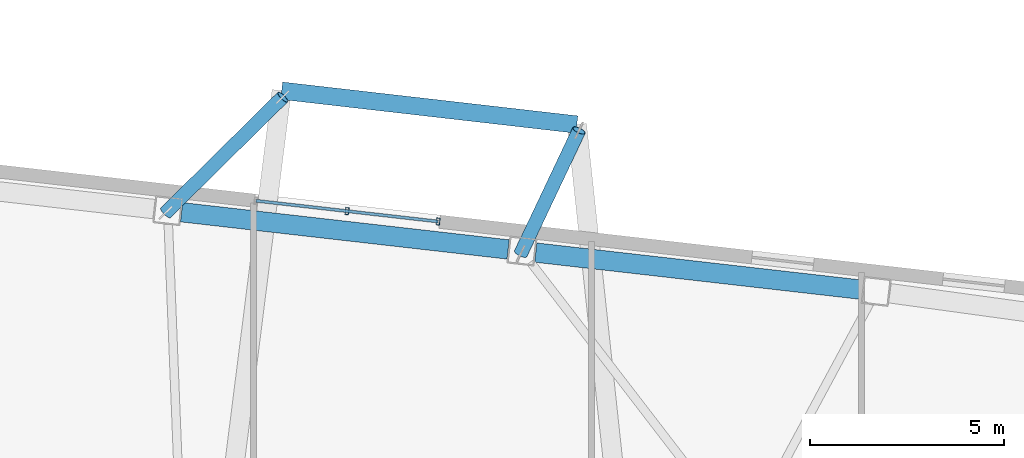
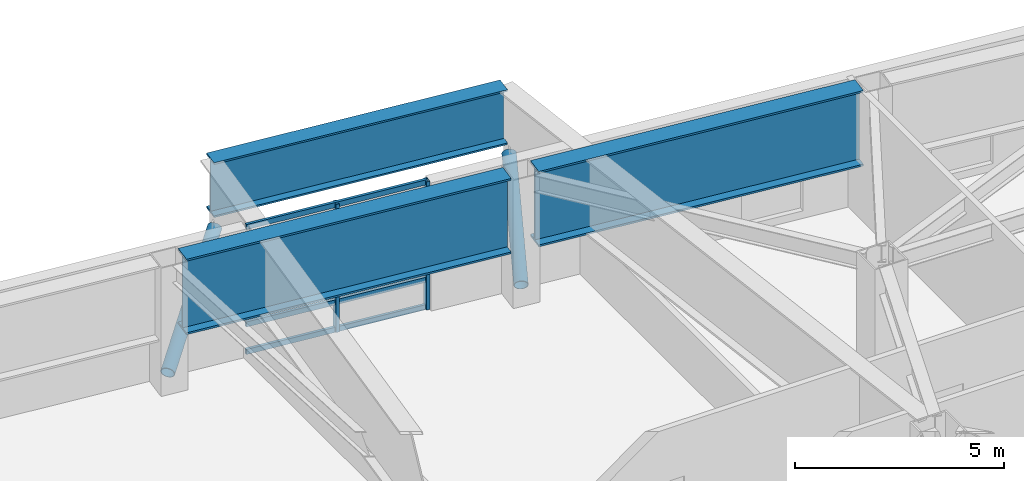
# One storey, part 9 of 21: 7 members, 3 beams, 1 element without a shape of its own.
"""IFC4 building model written with IfcOpenShell, lengths in metres."""

import ifcopenshell
import ifcopenshell.guid

model = None  # the IFC model being written
_history = None  # IfcOwnerHistory: only IFC2X3 demands one
_inside = {}  # id of a spatial element -> (the spatial element, [elements in it])
_under = {}  # id of a project, library or spatial element -> (it, [spatial elements below it])
_declared = {}  # id of a project -> (the project, [libraries it declares])
_typed = {}  # id of a type object -> (the type object, [elements of that type])
_made_of = {}  # id of a material, layer set ... -> (it, [elements and type objects made of it])


def new_model(schema):
    """Start an empty IFC model of exactly this schema.

    Asked for "IFC4X3", IfcOpenShell would pick the latest addendum, in which some entities
    have other attributes; the version numbers below select the first issue.
    IFC2X3 requires an IfcOwnerHistory on every rooted entity: one is made here for all.
    """
    global model, _history
    if schema == "IFC4X3":
        model = ifcopenshell.file(schema_version=(4, 3, 0, 0))
    else:
        model = ifcopenshell.file(schema=schema)
    _inside.clear()
    _under.clear()
    _declared.clear()
    _typed.clear()
    _made_of.clear()
    _history = None
    if model.schema == "IFC2X3":
        org = make("IfcOrganization", Name="unknown")
        user = make(
            "IfcPersonAndOrganization",
            ThePerson=make("IfcPerson", FamilyName="unknown"),
            TheOrganization=org,
        )
        app = make(
            "IfcApplication",
            ApplicationDeveloper=org,
            Version="unknown",
            ApplicationFullName="unknown",
            ApplicationIdentifier="unknown",
        )
        _history = make(
            "IfcOwnerHistory",
            OwningUser=user,
            OwningApplication=app,
            ChangeAction="ADDED",
            CreationDate=0,
        )
    return model


def make(cls, **values):
    """One entity of the class cls with the attributes given. An attribute that is None is left unset."""
    return model.create_entity(
        cls, **{name: value for name, value in values.items() if value is not None}
    )


def rooted(cls, **values):
    """An entity with a GlobalId (a new one), such as an element, a storey or a relation."""
    return make(cls, GlobalId=ifcopenshell.guid.new(), OwnerHistory=_history, **values)


def si_unit(unit_type, name, prefix=None):
    """IfcSIUnit, for example si_unit("LENGTHUNIT", "METRE", prefix="MILLI")."""
    return make("IfcSIUnit", UnitType=unit_type, Prefix=prefix, Name=name)


def assignment(units):
    """IfcUnitAssignment: the units of a project."""
    return None if units is None else make("IfcUnitAssignment", Units=units)


def point(xyz):
    """IfcCartesianPoint."""
    return None if xyz is None else make("IfcCartesianPoint", Coordinates=xyz)


def direction(xyz):
    """IfcDirection."""
    return None if xyz is None else make("IfcDirection", DirectionRatios=xyz)


def frame(location, z_axis=None, x_axis=None):
    """IfcAxis2Placement3D, a coordinate frame: its origin and axes. An axis left out is left unset."""
    return make(
        "IfcAxis2Placement3D",
        Location=point(location),
        Axis=direction(z_axis),
        RefDirection=direction(x_axis),
    )


def frame_2d(location, x_axis=None):
    """IfcAxis2Placement2D, a coordinate frame in the plane: its origin and x axis."""
    return make(
        "IfcAxis2Placement2D", Location=point(location), RefDirection=direction(x_axis)
    )


def origin():
    """The frame at (0, 0, 0) with its axes left unset."""
    return frame((0.0, 0.0, 0.0))


def origin_2d():
    """The frame at (0, 0) in the plane with its x axis left unset."""
    return frame_2d((0.0, 0.0))


def place(relative_to, where):
    """IfcLocalPlacement: puts the frame where relative to a parent placement (None: the world)."""
    return make(
        "IfcLocalPlacement", PlacementRelTo=relative_to, RelativePlacement=where
    )


def context(
    kind, dimensions, precision=None, world=None, true_north=None, identifier=None
):
    """IfcGeometricRepresentationContext, for example the 3D "Model" context."""
    return make(
        "IfcGeometricRepresentationContext",
        ContextIdentifier=identifier,
        ContextType=kind,
        CoordinateSpaceDimension=dimensions,
        Precision=precision,
        WorldCoordinateSystem=world,
        TrueNorth=true_north,
    )


def subcontext(parent, identifier, kind, view, scale=None):
    """IfcGeometricRepresentationSubContext, for example "Body" below "Model"."""
    return make(
        "IfcGeometricRepresentationSubContext",
        ContextIdentifier=identifier,
        ContextType=kind,
        ParentContext=parent,
        TargetScale=scale,
        TargetView=view,
    )


def project(units=None, contexts=None):
    """IfcProject with its units and contexts."""
    return rooted(
        "IfcProject",
        Name="project",
        RepresentationContexts=contexts,
        UnitsInContext=assignment(units),
    )


def spatial(cls, under=None, at=None, **own):
    """A site, building, storey or space (cls), placed at a placement, below another one or the project."""
    s = rooted(cls, ObjectPlacement=at, **own)
    if under is not None:
        _under.setdefault(under.id(), (under, []))[1].append(s)
    return s


def profile(cls, at=None, kind="AREA", **sizes):
    """A parametric profile (cls). Its sizes go by their IFC names, for example OverallWidth=200.0."""
    return make(cls, ProfileType=kind, Position=at, **sizes)


def hollow_rectangle(**sizes):
    """IfcRectangleHollowProfileDef."""
    return profile("IfcRectangleHollowProfileDef", **sizes)


def hollow_circle(**sizes):
    """IfcCircleHollowProfileDef."""
    return profile("IfcCircleHollowProfileDef", **sizes)


def i_section(**sizes):
    """IfcIShapeProfileDef."""
    return profile("IfcIShapeProfileDef", **sizes)


def extrude(swept, where, along, depth):
    """IfcExtrudedAreaSolid: the profile swept, set in the frame where, extruded along a direction by depth."""
    return make(
        "IfcExtrudedAreaSolid",
        SweptArea=swept,
        Position=where,
        ExtrudedDirection=direction(along),
        Depth=depth,
    )


def shape(context_of_items, identifier, shape_type, items):
    """IfcShapeRepresentation: the items that make up one representation, for example the "Body"."""
    return make(
        "IfcShapeRepresentation",
        ContextOfItems=context_of_items,
        RepresentationIdentifier=identifier,
        RepresentationType=shape_type,
        Items=items,
    )


def material(Name=None, Category=None):
    """IfcMaterial."""
    return make("IfcMaterial", Name=Name, Category=Category)


def layer(
    of_material, thickness, ventilated=None, Name=None, Category=None, Priority=None
):
    """IfcMaterialLayer: one layer of a wall or slab, of a material (None: an air gap)."""
    return make(
        "IfcMaterialLayer",
        Material=of_material,
        LayerThickness=thickness,
        IsVentilated=ventilated,
        Name=Name,
        Category=Category,
        Priority=Priority,
    )


def layer_set(layers, Name=None):
    """IfcMaterialLayerSet."""
    return make("IfcMaterialLayerSet", MaterialLayers=layers, LayerSetName=Name)


def material_profile(
    of_material, cross_section, Name=None, Category=None, Priority=None
):
    """IfcMaterialProfile: a cross section and its material."""
    return make(
        "IfcMaterialProfile",
        Name=Name,
        Material=of_material,
        Profile=cross_section,
        Priority=Priority,
        Category=Category,
    )


def profile_set(profiles, Name=None, composite=None):
    """IfcMaterialProfileSet."""
    return make(
        "IfcMaterialProfileSet",
        Name=Name,
        MaterialProfiles=profiles,
        CompositeProfile=composite,
    )


def made_of(thing, what):
    """Note that an element or type object is made of a material, layer set ...; save() writes the relation."""
    if what is not None:
        _made_of.setdefault(what.id(), (what, []))[1].append(thing)
    return thing


def type_object(cls, material=None, **own):
    """A type object (cls), such as IfcWallType, which elements share."""
    return made_of(rooted(cls, **own), material)


def element(
    cls,
    number,
    at=None,
    inside=None,
    cuts=None,
    type_object=None,
    material=None,
    context=None,
    identifier="Body",
    shape_type=None,
    held_by="IfcProductDefinitionShape",
    body=None,
    shapes=None,
    **own,
):
    """One element of the class cls, such as IfcWall. Its Tag is "e" and its number.

    at: its placement. inside: the storey or other place that contains it. cuts: it is an
    opening in that element (IfcRelVoidsElement). A single representation is given by context,
    identifier, shape_type and body (its items); several are given by shapes. held_by: the class
    of the entity that holds the representations. save() writes the other relations.
    """
    e = rooted(cls, Tag="e%d" % number, ObjectPlacement=at, **own)
    if body is not None:
        shapes = [shape(context, identifier, shape_type, body)]
    if shapes is not None:
        e.Representation = make(held_by, Representations=shapes)
    if inside is not None:
        _inside.setdefault(inside.id(), (inside, []))[1].append(e)
    if cuts is not None:
        rooted(
            "IfcRelVoidsElement", RelatingBuildingElement=cuts, RelatedOpeningElement=e
        )
    if type_object is not None:
        _typed.setdefault(type_object.id(), (type_object, []))[1].append(e)
    return made_of(e, material)


def aggregate(whole, parts):
    """IfcRelAggregates: a whole, such as a stair, and the parts it consists of."""
    return rooted("IfcRelAggregates", RelatingObject=whole, RelatedObjects=parts)


def save(model, path):
    """Write the relations noted so far, then the file.

    IfcRelAggregates (storeys below a building ...), IfcRelContainedInSpatialStructure (elements
    in a storey), IfcRelDefinesByType, IfcRelAssociatesMaterial and IfcRelDeclares: one each for
    every whole, place, type object, material and project.
    """
    for whole, parts in _under.values():
        aggregate(whole, parts)
    for where, things in _inside.values():
        rooted(
            "IfcRelContainedInSpatialStructure",
            RelatedElements=things,
            RelatingStructure=where,
        )
    for kind, things in _typed.values():
        rooted("IfcRelDefinesByType", RelatedObjects=things, RelatingType=kind)
    for what, things in _made_of.values():
        rooted("IfcRelAssociatesMaterial", RelatedObjects=things, RelatingMaterial=what)
    for by, libraries in _declared.values():
        rooted("IfcRelDeclares", RelatingContext=by, RelatedDefinitions=libraries)
    model.write(path)


model = new_model("IFC4")

# Units and contexts
model_context = context("Model", 3, precision=1e-05, world=origin(), true_north=direction((0.0, 1.0)))
body_context = subcontext(model_context, "Body", "Model", "MODEL_VIEW")
ifc_project = project(units=[si_unit("LENGTHUNIT", "METRE"), si_unit("AREAUNIT", "SQUARE_METRE"), si_unit("VOLUMEUNIT", "CUBIC_METRE"), si_unit("PLANEANGLEUNIT", "RADIAN"), si_unit("MASSUNIT", "GRAM", prefix="KILO")], contexts=[model_context])

# Site, building, storey
site_placement = place(None, origin())
site = spatial("IfcSite", under=ifc_project, at=site_placement, CompositionType="ELEMENT")
building_placement = place(site_placement, origin())
building = spatial("IfcBuilding", under=site, at=building_placement, Name="Tavrogorsk Clinical Tower", CompositionType="ELEMENT")
storey_placement = place(building_placement, frame((0.0, 0.0, 109.39990234375)))
storey = spatial("IfcBuildingStorey", under=building, at=storey_placement, Name="L24", CompositionType="ELEMENT", Elevation=109.39990234375)

# Curtain wall, members
ifc_material_1 = material(Name="Anodised aluminium and triple IGU glazing", Category="aluminium")
ifc_layer = layer(ifc_material_1, 0.179931640625)
ifc_layer_set = layer_set([ifc_layer], Name="Anodised aluminium and triple IGU glazing")
curtain_wall_type = type_object("IfcCurtainWallType", Name="CW2_NorthSlot", PredefinedType="NOTDEFINED", material=ifc_layer_set)
curtain_wall_placement = place(storey_placement, origin())
curtain_wall = element("IfcCurtainWall", 1, at=curtain_wall_placement, inside=storey, type_object=curtain_wall_type, Name="L24 Curtain Wall CW-L24-N-SLOT-2", PredefinedType="NOTDEFINED")
ifc_material_2 = material(Name="Anodised aluminium alloy AW-6060", Category="aluminium")
ifc_material_profile_1 = material_profile(ifc_material_2, hollow_rectangle(XDim=0.090087890625, YDim=0.179931640625, WallThickness=0.00634765625, at=origin_2d()), Name="RHS-180x90x6.3")
ifc_profile_set_1 = profile_set([ifc_material_profile_1], Name="Anodised aluminium alloy AW-6060")
member_type_1 = type_object("IfcMemberType", Name="CwMullion_180x90", PredefinedType="MULLION", material=ifc_profile_set_1)
member_1_placement = place(storey_placement, frame((16.650146484375, 21.36572265625, 0.0), z_axis=(0.0, 0.0, 1.0), x_axis=(-0.993571855603, 0.11320321441, 0.0)))
member_1 = element("IfcMember", 2, at=member_1_placement, type_object=member_type_1, Name="CW-L24-N-SLOT-2 Mullion 1", PredefinedType="MULLION", context=body_context, shape_type="SweptSolid", body=[
    extrude(hollow_rectangle(XDim=0.090087890625, YDim=0.179931640625, WallThickness=0.00634765625, at=origin_2d()), origin(), (0.0, 0.0, 1.0), 3.739990234375),
])
member_2_placement = place(storey_placement, frame((14.306396484375, 21.6328125, 0.0), z_axis=(0.0, 0.0, 1.0), x_axis=(-0.993571855603, 0.11320321441, 0.0)))
member_2 = element("IfcMember", 3, at=member_2_placement, type_object=member_type_1, Name="CW-L24-N-SLOT-2 Mullion 2", PredefinedType="MULLION", context=body_context, shape_type="SweptSolid", body=[
    extrude(hollow_rectangle(XDim=0.090087890625, YDim=0.179931640625, WallThickness=0.00634765625, at=origin_2d()), origin(), (0.0, 0.0, 1.0), 3.739990234375),
])
ifc_material_3 = material(Name="Anodised aluminium alloy AW-6060", Category="aluminium")
ifc_material_profile_2 = material_profile(ifc_material_3, hollow_rectangle(XDim=0.074951171875, YDim=0.14990234375, WallThickness=0.0048828125, at=origin_2d()), Name="RHS-150x75x5")
ifc_profile_set_2 = profile_set([ifc_material_profile_2], Name="Anodised aluminium alloy AW-6060")
member_type_2 = type_object("IfcMemberType", Name="CwTransom_150x75", PredefinedType="USERDEFINED", material=ifc_profile_set_2)
member_3_placement = place(storey_placement, frame((16.650146484375, 21.36572265625, 0.050048828125), z_axis=(-0.993569315854, 0.113225503286, 0.0), x_axis=(-0.113225503286, -0.993569315854, 0.0)))
member_3 = element("IfcMember", 4, at=member_3_placement, type_object=member_type_2, Name="CW-L24-N-SLOT-2 Transom 1", ObjectType="TRANSOM", PredefinedType="USERDEFINED", context=body_context, shape_type="SweptSolid", body=[
    extrude(hollow_rectangle(XDim=0.074951171875, YDim=0.14990234375, WallThickness=0.0048828125, at=origin_2d()), origin(), (0.0, 0.0, 1.0), 4.7177734375),
])
member_4_placement = place(storey_placement, frame((16.650146484375, 21.36572265625, 0.85009765625), z_axis=(-0.993569315854, 0.113225503286, 0.0), x_axis=(-0.113225503286, -0.993569315854, 0.0)))
member_4 = element("IfcMember", 5, at=member_4_placement, type_object=member_type_2, Name="CW-L24-N-SLOT-2 Transom 2", ObjectType="TRANSOM", PredefinedType="USERDEFINED", context=body_context, shape_type="SweptSolid", body=[
    extrude(hollow_rectangle(XDim=0.074951171875, YDim=0.14990234375, WallThickness=0.0048828125, at=origin_2d()), origin(), (0.0, 0.0, 1.0), 4.7177734375),
])
member_5_placement = place(storey_placement, frame((16.650146484375, 21.36572265625, 3.690185546875), z_axis=(-0.993569315854, 0.113225503286, 0.0), x_axis=(-0.113225503286, -0.993569315854, 0.0)))
member_5 = element("IfcMember", 6, at=member_5_placement, type_object=member_type_2, Name="CW-L24-N-SLOT-2 Transom 3", ObjectType="TRANSOM", PredefinedType="USERDEFINED", context=body_context, shape_type="SweptSolid", body=[
    extrude(hollow_rectangle(XDim=0.074951171875, YDim=0.14990234375, WallThickness=0.0048828125, at=origin_2d()), origin(), (0.0, 0.0, 1.0), 4.7177734375),
])
aggregate(curtain_wall, [member_1, member_2, member_3, member_4, member_5])

# Members
ifc_material_4 = material(Name="Structural steel S390", Category="steel")
ifc_material_profile_3 = material_profile(ifc_material_4, hollow_circle(Radius=0.177734375, WallThickness=0.01416015625, at=origin_2d()), Name="CHS-355.6x14.2")
ifc_profile_set_3 = profile_set([ifc_material_profile_3], Name="Structural steel S390")
member_type_3 = type_object("IfcMemberType", Name="DayroomStrut_CHS355", PredefinedType="STRUT", material=ifc_profile_set_3)
member_6_placement = place(storey_placement, frame((9.635498046875, 21.592041015625, 0.425048828125), z_axis=(0.675951787437, 0.667736525071, 0.31179659098), x_axis=(-0.702770420721, 0.711416710346, 0.0)))
element("IfcMember", 7, at=member_6_placement, inside=storey, type_object=member_type_3, Name="L25 Day-Room Raking Strut DRB-04-L", PredefinedType="STRUT", context=body_context, shape_type="SweptSolid", body=[
    extrude(hollow_circle(Radius=0.177734375, WallThickness=0.01416015625, at=origin_2d()), origin(), (0.0, 0.0, 1.0), 4.457763671875),
])
member_7_placement = place(storey_placement, frame((18.77587890625, 20.53955078125, 0.42041015625), z_axis=(0.397375374525, 0.839542735802, 0.370487255494), x_axis=(-0.903863906211, 0.427820101269, 0.0)))
element("IfcMember", 8, at=member_7_placement, inside=storey, type_object=member_type_3, Name="L25 Day-Room Raking Strut DRB-04-R", PredefinedType="STRUT", context=body_context, shape_type="SweptSolid", body=[
    extrude(hollow_circle(Radius=0.177734375, WallThickness=0.01416015625, at=origin_2d()), origin(), (0.0, 0.0, 1.0), 3.77734375),
])

# Beams
ifc_material_5 = material(Name="Structural steel S440", Category="steel")
ifc_material_profile_4 = material_profile(ifc_material_5, i_section(OverallWidth=0.449951171875, OverallDepth=1.60009765625, WebThickness=0.031982421875, FlangeThickness=0.050048828125, at=origin_2d()), Name="DK-1600x450x32x50")
ifc_profile_set_4 = profile_set([ifc_material_profile_4], Name="Structural steel S440")
beam_type_1 = type_object("IfcBeamType", Name="TransferGirder_DK1600", PredefinedType="USERDEFINED", material=ifc_profile_set_4)
beam_1_placement = place(storey_placement, frame((12.6220703125, 24.7333984375, 2.940185546875), z_axis=(0.993494346152, -0.113881447845, 0.0), x_axis=(0.113881447845, 0.993494346152, 0.0)))
element("IfcBeam", 9, at=beam_1_placement, inside=storey, type_object=beam_type_1, Name="L25 Day-Room Base Edge Girder DRB-04", ObjectType="GIRDER", PredefinedType="USERDEFINED", context=body_context, shape_type="SweptSolid", body=[
    extrude(i_section(OverallWidth=0.449951171875, OverallDepth=1.60009765625, WebThickness=0.031982421875, FlangeThickness=0.050048828125, at=origin_2d()), origin(), (0.0, 0.0, 1.0), 7.649169921875),
])
ifc_material_6 = material(Name="Structural steel S440", Category="steel")
ifc_material_profile_5 = material_profile(ifc_material_6, i_section(OverallWidth=0.5, OverallDepth=2.199951171875, WebThickness=0.035888671875, FlangeThickness=0.054931640625, at=origin_2d()), Name="DK-2200x500x36x55")
ifc_profile_set_5 = profile_set([ifc_material_profile_5], Name="Structural steel S440")
beam_type_2 = type_object("IfcBeamType", Name="TransferGirder_DK2200", PredefinedType="USERDEFINED", material=ifc_profile_set_5)
beam_2_placement = place(storey_placement, frame((27.5703125, 19.608154296875, 2.64013671875), z_axis=(-0.993569819641, 0.113221082395, 0.0), x_axis=(-0.113221082395, -0.993569819641, 0.0)))
element("IfcBeam", 10, at=beam_2_placement, inside=storey, type_object=beam_type_2, Name="L24 Perimeter Spandrel N2-N3", ObjectType="GIRDER", PredefinedType="USERDEFINED", context=body_context, shape_type="SweptSolid", body=[
    extrude(i_section(OverallWidth=0.5, OverallDepth=2.199951171875, WebThickness=0.035888671875, FlangeThickness=0.054931640625, at=origin_2d()), origin(), (0.0, 0.0, 1.0), 8.46142578125),
])
beam_3_placement = place(storey_placement, frame((18.451904296875, 20.647216796875, 2.64013671875), z_axis=(-0.99357232562, 0.113199089054, 0.0), x_axis=(-0.113199089054, -0.99357232562, 0.0)))
element("IfcBeam", 11, at=beam_3_placement, inside=storey, type_object=beam_type_2, Name="L24 Perimeter Spandrel N3-N4", ObjectType="GIRDER", PredefinedType="USERDEFINED", context=body_context, shape_type="SweptSolid", body=[
    extrude(i_section(OverallWidth=0.5, OverallDepth=2.199951171875, WebThickness=0.035888671875, FlangeThickness=0.054931640625, at=origin_2d()), origin(), (0.0, 0.0, 1.0), 8.4609375),
])

save(model, "model.ifc")
